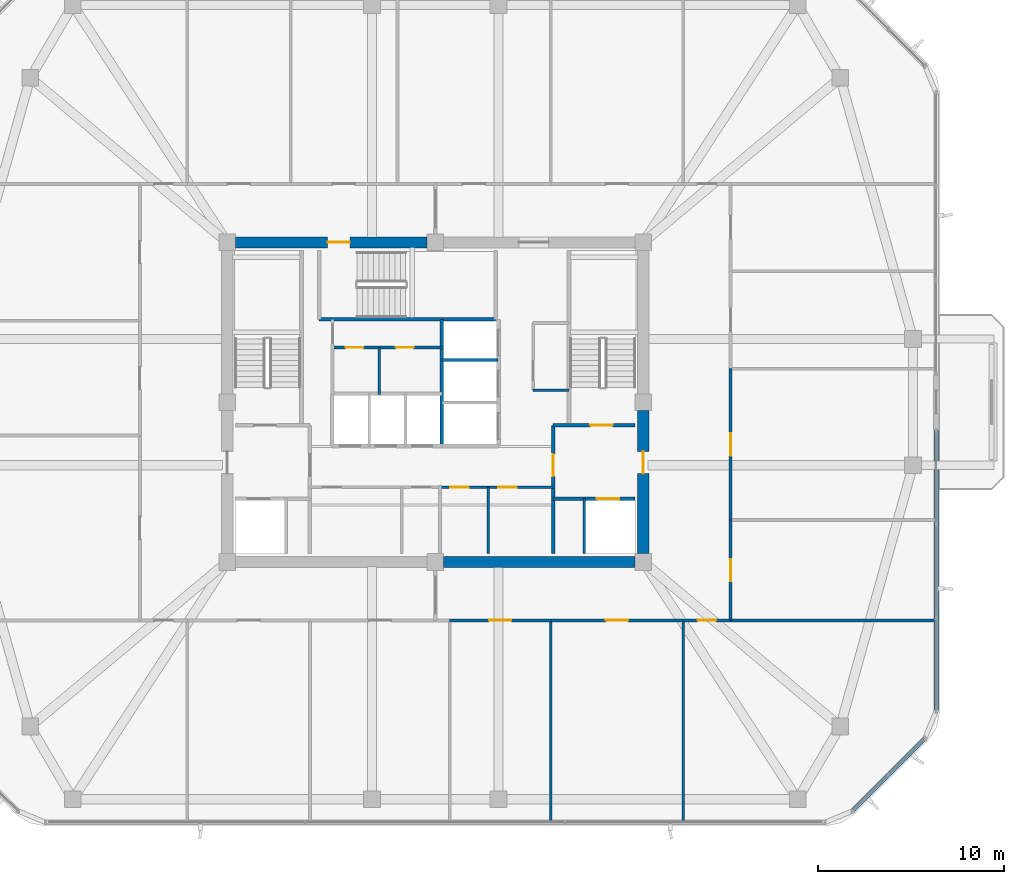
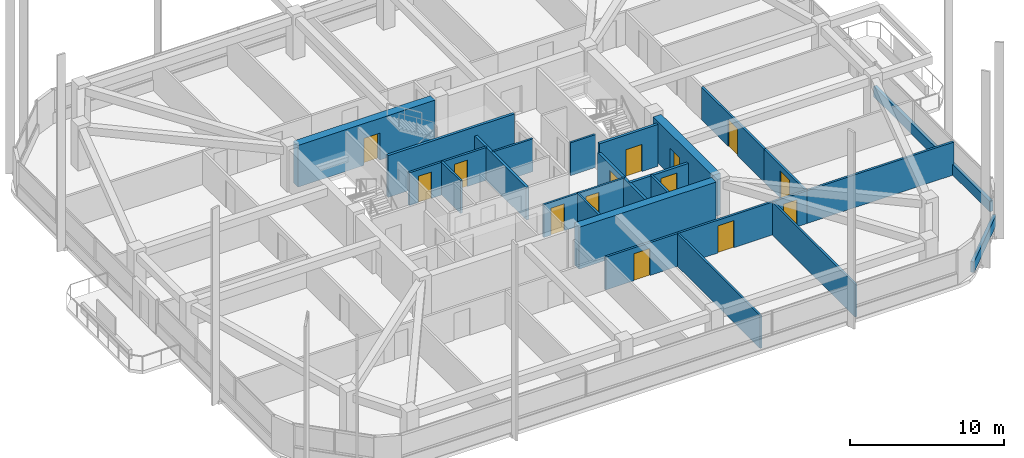
# One storey, part 11 of 17: 25 walls, 14 doors, 14 openings.
"""IFC4 building model written with IfcOpenShell, lengths in metres."""

from ifc_helpers import new_model, si_unit, derived_unit, direction, frame, frame_2d, origin, place, context, subcontext, project, spatial, rectangle, extrude, material, layer, layer_set, type_object, element, fill, save


model = new_model("IFC4")

# Units and contexts
model_context = context("Model", 3, precision=1e-05, world=origin(), true_north=direction((0.0, 1.0)))
body_context = subcontext(model_context, "Body", "Model", "MODEL_VIEW")
ifc_project = project(units=[si_unit("LENGTHUNIT", "METRE"), si_unit("AREAUNIT", "SQUARE_METRE"), si_unit("VOLUMEUNIT", "CUBIC_METRE"), si_unit("PLANEANGLEUNIT", "RADIAN"), si_unit("MASSUNIT", "GRAM", prefix="KILO"), derived_unit("THERMALTRANSMITTANCEUNIT", [(si_unit("POWERUNIT", "WATT"), 1), (si_unit("LENGTHUNIT", "METRE"), -2), (si_unit("THERMODYNAMICTEMPERATUREUNIT", "KELVIN"), -1)])], contexts=[model_context])

# Site, building, storey
site_placement = place(None, origin())
site = spatial("IfcSite", under=ifc_project, at=site_placement, CompositionType="ELEMENT")
building_placement = place(site_placement, origin())
building = spatial("IfcBuilding", under=site, at=building_placement, Name="Koralith Skygarden Medical Center", CompositionType="ELEMENT")
storey_placement = place(building_placement, frame((0.0, 0.0, 221.580078125)))
storey = spatial("IfcBuildingStorey", under=building, at=storey_placement, Name="L57", CompositionType="ELEMENT", Elevation=221.580078125)

# Wall, openings, doors
ifc_material_1 = material(Name="Gypsum Board Partition")
ifc_layer_1 = layer(ifc_material_1, 0.14990234375)
ifc_layer_set_1 = layer_set([ifc_layer_1], Name="Gypsum Board Partition")
wall_type_1 = type_object("IfcWallType", Name="Clinical Acoustic Partition 150", PredefinedType="PARTITIONING", material=ifc_layer_set_1)
wall_1_placement = place(storey_placement, frame((37.25, 21.320068359375, 0.0), z_axis=(0.0, 0.0, 1.0), x_axis=(1.0, 0.0, 0.0)))
wall_1 = element("IfcWall", 1, at=wall_1_placement, inside=storey, type_object=wall_type_1, Name="L57 Clinical Acoustic Partition 150 W-CORE-L57-FREED-MR-N", PredefinedType="PARTITIONING", context=body_context, shape_type="SweptSolid", body=[
    extrude(rectangle(XDim=6.10009765625, YDim=0.14990234375, at=frame_2d((3.050048828125, 0.0))), origin(), (0.0, 0.0, 1.0), 2.60986328125),
])
opening_1_placement = place(wall_1_placement, frame((0.550048828125, 0.0, 0.0)))
opening_1 = element("IfcOpeningElement", 2, at=opening_1_placement, cuts=wall_1, Name="Opening D-SUP", PredefinedType="OPENING", context=body_context, shape_type="SweptSolid", body=[
    extrude(rectangle(XDim=1.0, YDim=2.14990234375, at=frame_2d((0.5, 1.074951171875))), frame((0.0, 0.0849609375, 0.0), z_axis=(0.0, -1.0, 0.0), x_axis=(1.0, 0.0, 0.0)), (0.0, 0.0, 1.0), 0.169921875),
])
opening_2_placement = place(wall_1_placement, frame((3.14990234375, 0.0, 0.0)))
opening_2 = element("IfcOpeningElement", 3, at=opening_2_placement, cuts=wall_1, Name="Opening D-SUP", PredefinedType="OPENING", context=body_context, shape_type="SweptSolid", body=[
    extrude(rectangle(XDim=1.0, YDim=2.14990234375, at=frame_2d((0.5, 1.074951171875))), frame((0.0, 0.0849609375, 0.0), z_axis=(0.0, -1.0, 0.0), x_axis=(1.0, 0.0, 0.0)), (0.0, 0.0, 1.0), 0.169921875),
])
ifc_material_2 = material(Name="Aluminium 6063-T6", Category="aluminium")
door_type_1 = type_object("IfcDoorType", Name="Clinical Support Door D-SUP 1000", OperationType="NOTDEFINED", PredefinedType="DOOR", material=ifc_material_2)
door_1_placement = place(opening_1_placement, frame((1.0, 0.0, 0.0), z_axis=(0.0, 0.0, 1.0), x_axis=(-1.0, 0.0, 0.0)))
door_1 = element("IfcDoor", 4, at=door_1_placement, inside=storey, type_object=door_type_1, Name="L57 Satellite Pharmacy Door", OperationType="SINGLE_SWING_LEFT", OverallHeight=2.14990234375, OverallWidth=1.0, PredefinedType="DOOR", context=body_context, shape_type="SweptSolid", body=[
    extrude(rectangle(XDim=1.0, YDim=2.14990234375, at=frame_2d((0.5, 1.074951171875))), frame((0.0, 0.02490234375, 0.0), z_axis=(0.0, -1.0, 0.0), x_axis=(1.0, 0.0, 0.0)), (0.0, 0.0, 1.0), 0.050048828125),
])
fill(opening_1, door_1)
door_2_placement = place(opening_2_placement, frame((1.0, 0.0, 0.0), z_axis=(0.0, 0.0, 1.0), x_axis=(-1.0, 0.0, 0.0)))
door_2 = element("IfcDoor", 5, at=door_2_placement, inside=storey, type_object=door_type_1, Name="L57 Biomedical Equipment Door", OperationType="SINGLE_SWING_RIGHT", OverallHeight=2.14990234375, OverallWidth=1.0, PredefinedType="DOOR", context=body_context, shape_type="SweptSolid", body=[
    extrude(rectangle(XDim=1.0, YDim=2.14990234375, at=frame_2d((0.5, 1.074951171875))), frame((0.0, 0.02490234375, 0.0), z_axis=(0.0, -1.0, 0.0), x_axis=(1.0, 0.0, 0.0)), (0.0, 0.0, 1.0), 0.050048828125),
])
fill(opening_2, door_2)

# Walls
wall_2_placement = place(storey_placement, frame((39.85009765625, 17.75, 0.0), z_axis=(0.0, 0.0, 1.0), x_axis=(0.0, 1.0, 0.0)))
element("IfcWall", 6, at=wall_2_placement, inside=storey, type_object=wall_type_1, Name="L57 Clinical Acoustic Partition 150 W-CORE-L57-FREED-MR-M", PredefinedType="PARTITIONING", context=body_context, shape_type="SweptSolid", body=[
    extrude(rectangle(XDim=3.570068359375, YDim=0.14990234375, at=frame_2d((1.78515625, 0.0))), origin(), (0.0, 0.0, 1.0), 2.60986328125),
])
wall_3_placement = place(storey_placement, frame((42.27001953125, 26.5400390625, 0.0), z_axis=(0.0, 0.0, 1.0), x_axis=(1.0, 0.0, 0.0)))
element("IfcWall", 7, at=wall_3_placement, inside=storey, type_object=wall_type_1, Name="L57 Clinical Acoustic Partition 150 W-CORE-L57-ESUB-S", PredefinedType="PARTITIONING", context=body_context, shape_type="SweptSolid", body=[
    extrude(rectangle(XDim=1.929931640625, YDim=0.14990234375, at=frame_2d((0.96484375, 0.0))), origin(), (0.0, 0.0, 1.0), 2.60986328125),
])
wall_4_placement = place(storey_placement, frame((33.97998046875, 26.320068359375, 0.0), z_axis=(0.0, 0.0, 1.0), x_axis=(0.0, 1.0, 0.0)))
element("IfcWall", 8, at=wall_4_placement, inside=storey, type_object=wall_type_1, Name="L57 Clinical Acoustic Partition 150 W-CORE-L57-FLEX-V3A", PredefinedType="PARTITIONING", context=body_context, shape_type="SweptSolid", body=[
    extrude(rectangle(XDim=2.52001953125, YDim=0.14990234375, at=frame_2d((1.260009765625, 0.0))), origin(), (0.0, 0.0, 1.0), 2.60986328125),
])
for number, where, z_axis, x_axis, name in (
    (9, (43.220947265625, 14.14990234375, 0.0), (0.0, 0.0, 1.0), (0.0, -1.0, 0.0), "L57 Clinical Acoustic Partition 150 W-PART-L57-S-04"),
    (10, (50.35009765625, 14.14990234375, 0.0), (0.0, 0.0, 1.0), (0.0, -1.0, 0.0), "L57 Clinical Acoustic Partition 150 W-PART-L57-S-05"),
):
    element("IfcWall", number, at=place(storey_placement, frame(where, z_axis=z_axis, x_axis=x_axis)), inside=storey, type_object=wall_type_1, Name=name, PredefinedType="PARTITIONING", context=body_context, shape_type="SweptSolid", body=[
        extrude(rectangle(XDim=10.849853515625, YDim=0.14990234375, at=frame_2d((5.4248046875, 0.0))), origin(), (0.0, 0.0, 1.0), 2.60986328125),
    ])
ifc_layer_2 = layer(ifc_material_1, 0.1650390625)
ifc_layer_set_2 = layer_set([ifc_layer_2], Name="Gypsum Board Partition")
wall_type_2 = type_object("IfcWallType", Name="Clinical Corridor Partition 165", PredefinedType="PARTITIONING", material=ifc_layer_set_2)
wall_5_placement = place(storey_placement, frame((52.89990234375, 14.14990234375, 0.0), z_axis=(0.0, 0.0, 1.0), x_axis=(1.0, 0.0, 0.0)))
element("IfcWall", 11, at=wall_5_placement, inside=storey, type_object=wall_type_2, Name="L57 Clinical Corridor Partition 165 W-WB-L57-SE", PredefinedType="PARTITIONING", context=body_context, shape_type="SweptSolid", body=[
    extrude(rectangle(XDim=11.0419921875, YDim=0.1650390625, at=frame_2d((5.52099609375, 0.0))), origin(), (0.0, 0.0, 1.0), 2.60986328125),
])

# Wall, opening, door
wall_6_placement = place(storey_placement, frame((37.777099609375, 14.14990234375, 0.0), z_axis=(0.0, 0.0, 1.0), x_axis=(1.0, 0.0, 0.0)))
wall_6 = element("IfcWall", 12, at=wall_6_placement, inside=storey, type_object=wall_type_2, Name="L57 Clinical Corridor Partition 165 W-CORR-L57-S-04", PredefinedType="PARTITIONING", context=body_context, shape_type="SweptSolid", body=[
    extrude(rectangle(XDim=5.44384765625, YDim=0.1650390625, at=frame_2d((2.721923828125, 0.0))), origin(), (0.0, 0.0, 1.0), 2.60986328125),
])
opening_3_placement = place(wall_6_placement, frame((2.1220703125, 0.0, 0.0)))
opening_3 = element("IfcOpeningElement", 13, at=opening_3_placement, cuts=wall_6, Name="Opening D-CLN", PredefinedType="OPENING", context=body_context, shape_type="SweptSolid", body=[
    extrude(rectangle(XDim=1.199951171875, YDim=2.14990234375, at=frame_2d((0.60009765625, 1.074951171875))), frame((0.0, 0.092529296875, 0.0), z_axis=(0.0, -1.0, 0.0), x_axis=(1.0, 0.0, 0.0)), (0.0, 0.0, 1.0), 0.18505859375),
])
door_type_2 = type_object("IfcDoorType", Name="Clinical Corridor Door D-CLN 1200", OperationType="NOTDEFINED", PredefinedType="DOOR", material=ifc_material_2)
door_3_placement = place(opening_3_placement, frame((1.199951171875, 0.0, 0.0), z_axis=(0.0, 0.0, 1.0), x_axis=(-1.0, 0.0, 0.0)))
door_3 = element("IfcDoor", 14, at=door_3_placement, inside=storey, type_object=door_type_2, Name="L57 Care Coordinator Office 10 Door", OperationType="SINGLE_SWING_LEFT", OverallHeight=2.14990234375, OverallWidth=1.199951171875, PredefinedType="DOOR", context=body_context, shape_type="SweptSolid", body=[
    extrude(rectangle(XDim=1.199951171875, YDim=2.14990234375, at=frame_2d((0.60009765625, 1.074951171875))), frame((0.0, 0.02490234375, 0.0), z_axis=(0.0, -1.0, 0.0), x_axis=(1.0, 0.0, 0.0)), (0.0, 0.0, 1.0), 0.050048828125),
])
fill(opening_3, door_3)

wall_7_placement = place(storey_placement, frame((43.220947265625, 14.14990234375, 0.0), z_axis=(0.0, 0.0, 1.0), x_axis=(1.0, 0.0, 0.0)))
wall_7 = element("IfcWall", 15, at=wall_7_placement, inside=storey, type_object=wall_type_2, Name="L57 Clinical Corridor Partition 165 W-CORR-L57-S-05", PredefinedType="PARTITIONING", context=body_context, shape_type="SweptSolid", body=[
    extrude(rectangle(XDim=7.129150390625, YDim=0.1650390625, at=frame_2d((3.564453125, 0.0))), origin(), (0.0, 0.0, 1.0), 2.60986328125),
])
opening_4_placement = place(wall_7_placement, frame((2.965087890625, 0.0, 0.0)))
opening_4 = element("IfcOpeningElement", 16, at=opening_4_placement, cuts=wall_7, Name="Opening D-CLN", PredefinedType="OPENING", context=body_context, shape_type="SweptSolid", body=[
    extrude(rectangle(XDim=1.199951171875, YDim=2.14990234375, at=frame_2d((0.60009765625, 1.074951171875))), frame((0.0, 0.092529296875, 0.0), z_axis=(0.0, -1.0, 0.0), x_axis=(1.0, 0.0, 0.0)), (0.0, 0.0, 1.0), 0.18505859375),
])
door_4_placement = place(opening_4_placement, frame((1.199951171875, 0.0, 0.0), z_axis=(0.0, 0.0, 1.0), x_axis=(-1.0, 0.0, 0.0)))
door_4 = element("IfcDoor", 17, at=door_4_placement, inside=storey, type_object=door_type_2, Name="L57 Sterile Supply Equipment Store 11 Door", OperationType="SINGLE_SWING_RIGHT", OverallHeight=2.14990234375, OverallWidth=1.199951171875, PredefinedType="DOOR", context=body_context, shape_type="SweptSolid", body=[
    extrude(rectangle(XDim=1.199951171875, YDim=2.14990234375, at=frame_2d((0.60009765625, 1.074951171875))), frame((0.0, 0.02490234375, 0.0), z_axis=(0.0, -1.0, 0.0), x_axis=(1.0, 0.0, 0.0)), (0.0, 0.0, 1.0), 0.050048828125),
])
fill(opening_4, door_4)

wall_8_placement = place(storey_placement, frame((50.35009765625, 14.14990234375, 0.0), z_axis=(0.0, 0.0, 1.0), x_axis=(1.0, 0.0, 0.0)))
wall_8 = element("IfcWall", 18, at=wall_8_placement, inside=storey, type_object=wall_type_2, Name="L57 Clinical Corridor Partition 165 W-CORR-L57-S-06", PredefinedType="PARTITIONING", context=body_context, shape_type="SweptSolid", body=[
    extrude(rectangle(XDim=2.5498046875, YDim=0.1650390625, at=frame_2d((1.27490234375, 0.0))), origin(), (0.0, 0.0, 1.0), 2.60986328125),
])
opening_5_placement = place(wall_8_placement, frame((0.77490234375, 0.0, 0.0)))
opening_5 = element("IfcOpeningElement", 19, at=opening_5_placement, cuts=wall_8, Name="Opening D-SUP", PredefinedType="OPENING", context=body_context, shape_type="SweptSolid", body=[
    extrude(rectangle(XDim=1.0, YDim=2.14990234375, at=frame_2d((0.5, 1.074951171875))), frame((0.0, 0.092529296875, 0.0), z_axis=(0.0, -1.0, 0.0), x_axis=(1.0, 0.0, 0.0)), (0.0, 0.0, 1.0), 0.18505859375),
])
door_5_placement = place(opening_5_placement, frame((1.0, 0.0, 0.0), z_axis=(0.0, 0.0, 1.0), x_axis=(-1.0, 0.0, 0.0)))
door_5 = element("IfcDoor", 20, at=door_5_placement, inside=storey, type_object=door_type_1, Name="L57 Clinical Consultation Office 12 Door", OperationType="SINGLE_SWING_LEFT", OverallHeight=2.14990234375, OverallWidth=1.0, PredefinedType="DOOR", context=body_context, shape_type="SweptSolid", body=[
    extrude(rectangle(XDim=1.0, YDim=2.14990234375, at=frame_2d((0.5, 1.074951171875))), frame((0.0, 0.02490234375, 0.0), z_axis=(0.0, -1.0, 0.0), x_axis=(1.0, 0.0, 0.0)), (0.0, 0.0, 1.0), 0.050048828125),
])
fill(opening_5, door_5)

wall_9_placement = place(storey_placement, frame((52.89990234375, 14.14990234375, 0.0), z_axis=(0.0, 0.0, 1.0), x_axis=(0.0, 1.0, 0.0)))
wall_9 = element("IfcWall", 21, at=wall_9_placement, inside=storey, type_object=wall_type_2, Name="L57 Clinical Corridor Partition 165 W-CORR-L57-E-01", PredefinedType="PARTITIONING", context=body_context, shape_type="SweptSolid", body=[
    extrude(rectangle(XDim=5.405029296875, YDim=0.1650390625, at=frame_2d((2.70263671875, 0.0))), origin(), (0.0, 0.0, 1.0), 2.60986328125),
])
opening_6_placement = place(wall_9_placement, frame((2.10205078125, 0.0, 0.0)))
opening_6 = element("IfcOpeningElement", 22, at=opening_6_placement, cuts=wall_9, Name="Opening D-CLN", PredefinedType="OPENING", context=body_context, shape_type="SweptSolid", body=[
    extrude(rectangle(XDim=1.199951171875, YDim=2.14990234375, at=frame_2d((0.60009765625, 1.074951171875))), frame((0.0, 0.092529296875, 0.0), z_axis=(0.0, -1.0, 0.0), x_axis=(1.0, 0.0, 0.0)), (0.0, 0.0, 1.0), 0.18505859375),
])
door_6_placement = place(opening_6_placement, origin())
door_6 = element("IfcDoor", 23, at=door_6_placement, inside=storey, type_object=door_type_2, Name="L57 Sterile Supply Equipment Store 16 Door", OperationType="SINGLE_SWING_LEFT", OverallHeight=2.14990234375, OverallWidth=1.199951171875, PredefinedType="DOOR", context=body_context, shape_type="SweptSolid", body=[
    extrude(rectangle(XDim=1.199951171875, YDim=2.14990234375, at=frame_2d((0.60009765625, 1.074951171875))), frame((0.0, 0.02490234375, 0.0), z_axis=(0.0, -1.0, 0.0), x_axis=(1.0, 0.0, 0.0)), (0.0, 0.0, 1.0), 0.050048828125),
])
fill(opening_6, door_6)

wall_10_placement = place(storey_placement, frame((52.89990234375, 19.554931640625, 0.0), z_axis=(0.0, 0.0, 1.0), x_axis=(0.0, 1.0, 0.0)))
wall_10 = element("IfcWall", 24, at=wall_10_placement, inside=storey, type_object=wall_type_2, Name="L57 Clinical Corridor Partition 165 W-CORR-L57-E-02", PredefinedType="PARTITIONING", context=body_context, shape_type="SweptSolid", body=[
    extrude(rectangle(XDim=8.14501953125, YDim=0.1650390625, at=frame_2d((4.072509765625, 0.0))), origin(), (0.0, 0.0, 1.0), 2.60986328125),
])
opening_7_placement = place(wall_10_placement, frame((3.471923828125, 0.0, 0.0)))
opening_7 = element("IfcOpeningElement", 25, at=opening_7_placement, cuts=wall_10, Name="Opening D-CLN", PredefinedType="OPENING", context=body_context, shape_type="SweptSolid", body=[
    extrude(rectangle(XDim=1.199951171875, YDim=2.14990234375, at=frame_2d((0.60009765625, 1.074951171875))), frame((0.0, 0.092529296875, 0.0), z_axis=(0.0, -1.0, 0.0), x_axis=(1.0, 0.0, 0.0)), (0.0, 0.0, 1.0), 0.18505859375),
])
door_7_placement = place(opening_7_placement, origin())
door_7 = element("IfcDoor", 26, at=door_7_placement, inside=storey, type_object=door_type_2, Name="L57 Patient and Family Sky-Garden Day Lounge 17 Door", OperationType="SINGLE_SWING_RIGHT", OverallHeight=2.14990234375, OverallWidth=1.199951171875, PredefinedType="DOOR", context=body_context, shape_type="SweptSolid", body=[
    extrude(rectangle(XDim=1.199951171875, YDim=2.14990234375, at=frame_2d((0.60009765625, 1.074951171875))), frame((0.0, 0.02490234375, 0.0), z_axis=(0.0, -1.0, 0.0), x_axis=(1.0, 0.0, 0.0)), (0.0, 0.0, 1.0), 0.050048828125),
])
fill(opening_7, door_7)

ifc_layer_3 = layer(ifc_material_1, 0.199951171875)
ifc_layer_set_3 = layer_set([ifc_layer_3], Name="Gypsum Board Partition")
wall_type_3 = type_object("IfcWallType", Name="Fire Shaft Wall 200", PredefinedType="SOLIDWALL", material=ifc_layer_set_3)
wall_11_placement = place(storey_placement, frame((43.35009765625, 20.699951171875, 0.0), z_axis=(0.0, 0.0, 1.0), x_axis=(1.0, 0.0, 0.0)))
wall_11 = element("IfcWall", 27, at=wall_11_placement, inside=storey, type_object=wall_type_3, Name="L57 Fire Shaft Wall 200 W-CORE-L57-FF2-N", PredefinedType="SOLIDWALL", context=body_context, shape_type="SweptSolid", body=[
    extrude(rectangle(XDim=4.39990234375, YDim=0.199951171875, at=frame_2d((2.199951171875, 0.0))), origin(), (0.0, 0.0, 1.0), 2.60986328125),
])
opening_8_placement = place(wall_11_placement, frame((2.35009765625, 0.0, 0.0)))
opening_8 = element("IfcOpeningElement", 28, at=opening_8_placement, cuts=wall_11, Name="Opening LD-FF", PredefinedType="OPENING", context=body_context, shape_type="SweptSolid", body=[
    extrude(rectangle(XDim=1.199951171875, YDim=2.14990234375, at=frame_2d((0.60009765625, 1.074951171875))), frame((0.0, 0.10986328125, 0.0), z_axis=(0.0, -1.0, 0.0), x_axis=(1.0, 0.0, 0.0)), (0.0, 0.0, 1.0), 0.219970703125),
])
ifc_material_3 = material(Name="Steel ASTM A500 Grade C", Category="steel")
door_type_3 = type_object("IfcDoorType", Name="Fire Lift Sliding Landing Door LD-FF 1200", OperationType="NOTDEFINED", PredefinedType="DOOR", material=ifc_material_3)
door_8_placement = place(opening_8_placement, origin())
door_8 = element("IfcDoor", 29, at=door_8_placement, inside=storey, type_object=door_type_3, Name="L57 Fire Service Elevator FF2 Landing Door", OperationType="SLIDING_TO_RIGHT", OverallHeight=2.14990234375, OverallWidth=1.199951171875, PredefinedType="DOOR", context=body_context, shape_type="SweptSolid", body=[
    extrude(rectangle(XDim=1.199951171875, YDim=2.14990234375, at=frame_2d((0.60009765625, 1.074951171875))), frame((0.0, 0.02490234375, 0.0), z_axis=(0.0, -1.0, 0.0), x_axis=(1.0, 0.0, 0.0)), (0.0, 0.0, 1.0), 0.050048828125),
])
fill(opening_8, door_8)

wall_12_placement = place(storey_placement, frame((43.35009765625, 17.75, 0.0), z_axis=(0.0, 0.0, 1.0), x_axis=(0.0, 1.0, 0.0)))
wall_12 = element("IfcWall", 30, at=wall_12_placement, inside=storey, type_object=wall_type_3, Name="L57 Fire Shaft Wall 200 W-CORE-L57-FSAEE-W", PredefinedType="SOLIDWALL", context=body_context, shape_type="SweptSolid", body=[
    extrude(rectangle(XDim=6.89990234375, YDim=0.199951171875, at=frame_2d((3.449951171875, 0.0))), origin(), (0.0, 0.0, 1.0), 2.60986328125),
])
opening_9_placement = place(wall_12_placement, frame((4.14990234375, 0.0, 0.0)))
opening_9 = element("IfcOpeningElement", 31, at=opening_9_placement, cuts=wall_12, Name="Opening D-ST60", PredefinedType="OPENING", context=body_context, shape_type="SweptSolid", body=[
    extrude(rectangle(XDim=1.199951171875, YDim=2.14990234375, at=frame_2d((0.60009765625, 1.074951171875))), frame((0.0, 0.10986328125, 0.0), z_axis=(0.0, -1.0, 0.0), x_axis=(1.0, 0.0, 0.0)), (0.0, 0.0, 1.0), 0.219970703125),
])
door_type_4 = type_object("IfcDoorType", Name="Smokeproof Stair Fire Door FD60S 1200", OperationType="NOTDEFINED", PredefinedType="DOOR", material=ifc_material_3)
door_9_placement = place(opening_9_placement, frame((1.199951171875, 0.0, 0.0), z_axis=(0.0, 0.0, 1.0), x_axis=(-1.0, 0.0, 0.0)))
door_9 = element("IfcDoor", 32, at=door_9_placement, inside=storey, type_object=door_type_4, Name="L57 East Firefighting Lobby Inner Fire Door", OperationType="SINGLE_SWING_RIGHT", OverallHeight=2.14990234375, OverallWidth=1.199951171875, PredefinedType="DOOR", context=body_context, shape_type="SweptSolid", body=[
    extrude(rectangle(XDim=1.199951171875, YDim=2.14990234375, at=frame_2d((0.60009765625, 1.074951171875))), frame((0.0, 0.02490234375, 0.0), z_axis=(0.0, -1.0, 0.0), x_axis=(1.0, 0.0, 0.0)), (0.0, 0.0, 1.0), 0.050048828125),
])
fill(opening_9, door_9)

# Walls
wall_13_placement = place(storey_placement, frame((37.35009765625, 23.5400390625, 0.0), z_axis=(0.0, 0.0, 1.0), x_axis=(0.0, 1.0, 0.0)))
element("IfcWall", 33, at=wall_13_placement, inside=storey, type_object=wall_type_3, Name="L57 Fire Shaft Wall 200 W-CORE-L57-SV-W", PredefinedType="SOLIDWALL", context=body_context, shape_type="SweptSolid", body=[
    extrude(rectangle(XDim=6.820068359375, YDim=0.199951171875, at=frame_2d((3.41015625, 0.0))), origin(), (0.0, 0.0, 1.0), 2.60986328125),
])
ifc_material_4 = material(Name="Warm Oolitic Limestone Cladding", Category="masonry")
ifc_layer_4 = layer(ifc_material_4, 0.239990234375)
ifc_layer_set_4 = layer_set([ifc_layer_4], Name="Warm Oolitic Limestone Cladding")
wall_type_4 = type_object("IfcWallType", Name="Limestone Spandrel Sill Backup Wall 240", PredefinedType="SOLIDWALL", material=ifc_layer_set_4)
wall_14_placement = place(storey_placement, frame((59.43798828125, 3.881103515625, 0.0), z_axis=(0.0, 0.0, 1.0), x_axis=(0.707128783731, 0.707084777957, 0.0)))
element("IfcWall", 34, at=wall_14_placement, inside=storey, type_object=wall_type_4, Name="L57 Sill Spandrel SE", PredefinedType="SOLIDWALL", context=body_context, shape_type="SweptSolid", body=[
    extrude(rectangle(XDim=5.5478515625, YDim=0.239990234375, at=frame_2d((2.77392578125, 0.0))), origin(), (0.0, 0.0, 1.0), 0.849853515625),
])
wall_15_placement = place(storey_placement, frame((63.9619140625, 9.2548828125, 0.0), z_axis=(0.0, 0.0, 1.0), x_axis=(0.0, 1.0, 0.0)))
element("IfcWall", 35, at=wall_15_placement, inside=storey, type_object=wall_type_4, Name="L57 Sill Spandrel E-L", PredefinedType="SOLIDWALL", context=body_context, shape_type="SweptSolid", body=[
    extrude(rectangle(XDim=15.105224609375, YDim=0.239990234375, at=frame_2d((7.552734375, 0.0))), origin(), (0.0, 0.0, 1.0), 0.849853515625),
])

# Wall, openings, doors
ifc_layer_5 = layer(ifc_material_1, 0.1650390625)
ifc_layer_set_5 = layer_set([ifc_layer_5], Name="Gypsum Board Partition")
wall_type_5 = type_object("IfcWallType", Name="Plumbing Wet Wall 165", PredefinedType="PLUMBINGWALL", material=ifc_layer_set_5)
wall_16_placement = place(storey_placement, frame((31.47998046875, 28.840087890625, 0.0), z_axis=(0.0, 0.0, 1.0), x_axis=(1.0, 0.0, 0.0)))
wall_16 = element("IfcWall", 36, at=wall_16_placement, inside=storey, type_object=wall_type_5, Name="L57 Plumbing Wet Wall 165 W-CORE-L57-FLEX-H3", PredefinedType="PLUMBINGWALL", context=body_context, shape_type="SweptSolid", body=[
    extrude(rectangle(XDim=5.8701171875, YDim=0.1650390625, at=frame_2d((2.93505859375, 0.0))), origin(), (0.0, 0.0, 1.0), 2.60986328125),
])
opening_10_placement = place(wall_16_placement, frame((0.699951171875, 0.0, 0.0)))
opening_10 = element("IfcOpeningElement", 37, at=opening_10_placement, cuts=wall_16, Name="Opening D-WC", PredefinedType="OPENING", context=body_context, shape_type="SweptSolid", body=[
    extrude(rectangle(XDim=0.949951171875, YDim=2.10009765625, at=frame_2d((0.47509765625, 1.050048828125))), frame((0.0, 0.092529296875, 0.0), z_axis=(0.0, -1.0, 0.0), x_axis=(1.0, 0.0, 0.0)), (0.0, 0.0, 1.0), 0.18505859375),
])
opening_11_placement = place(wall_16_placement, frame((3.39990234375, 0.0, 0.0)))
opening_11 = element("IfcOpeningElement", 38, at=opening_11_placement, cuts=wall_16, Name="Opening D-WC", PredefinedType="OPENING", context=body_context, shape_type="SweptSolid", body=[
    extrude(rectangle(XDim=0.949951171875, YDim=2.10009765625, at=frame_2d((0.47509765625, 1.050048828125))), frame((0.0, 0.092529296875, 0.0), z_axis=(0.0, -1.0, 0.0), x_axis=(1.0, 0.0, 0.0)), (0.0, 0.0, 1.0), 0.18505859375),
])
door_type_5 = type_object("IfcDoorType", Name="Accessible Toilet Door D-WC 950", OperationType="NOTDEFINED", PredefinedType="DOOR", material=ifc_material_2)
door_10_placement = place(opening_10_placement, frame((0.949951171875, 0.0, 0.0), z_axis=(0.0, 0.0, 1.0), x_axis=(-1.0, 0.0, 0.0)))
door_10 = element("IfcDoor", 39, at=door_10_placement, inside=storey, type_object=door_type_5, Name="L57 Core Accessible WC Door", OperationType="SINGLE_SWING_LEFT", OverallHeight=2.10009765625, OverallWidth=0.949951171875, PredefinedType="DOOR", context=body_context, shape_type="SweptSolid", body=[
    extrude(rectangle(XDim=0.949951171875, YDim=2.10009765625, at=frame_2d((0.47509765625, 1.050048828125))), frame((0.0, 0.02490234375, 0.0), z_axis=(0.0, -1.0, 0.0), x_axis=(1.0, 0.0, 0.0)), (0.0, 0.0, 1.0), 0.050048828125),
])
fill(opening_10, door_10)
door_11_placement = place(opening_11_placement, frame((0.949951171875, 0.0, 0.0), z_axis=(0.0, 0.0, 1.0), x_axis=(-1.0, 0.0, 0.0)))
door_11 = element("IfcDoor", 40, at=door_11_placement, inside=storey, type_object=door_type_5, Name="L57 Housekeeping Store Door", OperationType="SINGLE_SWING_RIGHT", OverallHeight=2.10009765625, OverallWidth=0.949951171875, PredefinedType="DOOR", context=body_context, shape_type="SweptSolid", body=[
    extrude(rectangle(XDim=0.949951171875, YDim=2.10009765625, at=frame_2d((0.47509765625, 1.050048828125))), frame((0.0, 0.02490234375, 0.0), z_axis=(0.0, -1.0, 0.0), x_axis=(1.0, 0.0, 0.0)), (0.0, 0.0, 1.0), 0.050048828125),
])
fill(opening_11, door_11)

# Walls
ifc_layer_6 = layer(ifc_material_1, 0.14990234375)
ifc_layer_set_6 = layer_set([ifc_layer_6], Name="Gypsum Board Partition")
wall_type_6 = type_object("IfcWallType", Name="Shaft Partition Wall 150", PredefinedType="PARTITIONING", material=ifc_layer_set_6)
wall_17_placement = place(storey_placement, frame((45.02001953125, 17.75, 0.0), z_axis=(0.0, 0.0, 1.0), x_axis=(0.0, 1.0, 0.0)))
element("IfcWall", 41, at=wall_17_placement, inside=storey, type_object=wall_type_6, Name="L57 Shaft Partition Wall 150 W-CORE-L57-RSRE-DIV", PredefinedType="PARTITIONING", context=body_context, shape_type="SweptSolid", body=[
    extrude(rectangle(XDim=2.949951171875, YDim=0.14990234375, at=frame_2d((1.47509765625, 0.0))), origin(), (0.0, 0.0, 1.0), 2.60986328125),
])
wall_18_placement = place(storey_placement, frame((37.3701171875, 28.169921875, 0.0), z_axis=(0.0, 0.0, 1.0), x_axis=(1.0, 0.0, 0.0)))
element("IfcWall", 42, at=wall_18_placement, inside=storey, type_object=wall_type_6, Name="L57 Shaft Partition Wall 150 W-CORE-L57-SV-D2", PredefinedType="PARTITIONING", context=body_context, shape_type="SweptSolid", body=[
    extrude(rectangle(XDim=3.009765625, YDim=0.14990234375, at=frame_2d((1.5048828125, 0.0))), origin(), (0.0, 0.0, 1.0), 2.60986328125),
])

# Wall, opening, door
ifc_material_5 = material(Name="Concrete C45/55", Category="concrete")
ifc_layer_7 = layer(ifc_material_5, 0.199951171875)
ifc_layer_set_7 = layer_set([ifc_layer_7], Name="Concrete C45/55")
wall_type_7 = type_object("IfcWallType", Name="Structural Stair Shaft Wall 200", PredefinedType="SHEAR", material=ifc_layer_set_7)
wall_19_placement = place(storey_placement, frame((43.35009765625, 24.64990234375, 0.0), z_axis=(0.0, 0.0, 1.0), x_axis=(1.0, 0.0, 0.0)))
wall_19 = element("IfcWall", 43, at=wall_19_placement, inside=storey, type_object=wall_type_7, Name="L57 Structural Stair Shaft Wall 200 W-CORE-L57-ST2-S", PredefinedType="SHEAR", context=body_context, shape_type="SweptSolid", body=[
    extrude(rectangle(XDim=4.39990234375, YDim=0.199951171875, at=frame_2d((2.199951171875, 0.0))), origin(), (0.0, 0.0, 1.0), 3.31982421875),
])
opening_12_placement = place(wall_19_placement, frame((2.0, 0.0, 0.0)))
opening_12 = element("IfcOpeningElement", 44, at=opening_12_placement, cuts=wall_19, Name="Opening D-ST60", PredefinedType="OPENING", context=body_context, shape_type="SweptSolid", body=[
    extrude(rectangle(XDim=1.199951171875, YDim=2.14990234375, at=frame_2d((0.60009765625, 1.074951171875))), frame((0.0, 0.10986328125, 0.0), z_axis=(0.0, -1.0, 0.0), x_axis=(1.0, 0.0, 0.0)), (0.0, 0.0, 1.0), 0.219970703125),
])
door_12_placement = place(opening_12_placement, origin())
door_12 = element("IfcDoor", 45, at=door_12_placement, inside=storey, type_object=door_type_4, Name="L57 Exit Stair ST2 Fire Door", OperationType="SINGLE_SWING_RIGHT", OverallHeight=2.14990234375, OverallWidth=1.199951171875, PredefinedType="DOOR", context=body_context, shape_type="SweptSolid", body=[
    extrude(rectangle(XDim=1.199951171875, YDim=2.14990234375, at=frame_2d((0.60009765625, 1.074951171875))), frame((0.0, 0.02490234375, 0.0), z_axis=(0.0, -1.0, 0.0), x_axis=(1.0, 0.0, 0.0)), (0.0, 0.0, 1.0), 0.050048828125),
])
fill(opening_12, door_12)

# Walls
wall_20_placement = place(storey_placement, frame((30.75, 30.360107421875, 0.0), z_axis=(0.0, 0.0, 1.0), x_axis=(1.0, 0.0, 0.0)))
element("IfcWall", 46, at=wall_20_placement, inside=storey, type_object=wall_type_7, Name="L57 Structural Stair Shaft Wall 200 W-CORE-L57-ST3-S", PredefinedType="SHEAR", context=body_context, shape_type="SweptSolid", body=[
    extrude(rectangle(XDim=9.5, YDim=0.199951171875, at=frame_2d((4.75, 0.0))), origin(), (0.0, 0.0, 1.0), 3.31982421875),
])
ifc_material_6 = material(Name="Concrete C55/67", Category="concrete")
ifc_layer_8 = layer(ifc_material_6, 0.60009765625)
ifc_layer_set_8 = layer_set([ifc_layer_8], Name="Concrete C55/67")
wall_type_8 = type_object("IfcWallType", Name="Upper Core Shear Wall 600", PredefinedType="SHEAR", material=ifc_layer_set_8)
wall_21_placement = place(storey_placement, frame((37.445068359375, 17.300048828125, 0.0), z_axis=(0.0, 0.0, 1.0), x_axis=(1.0, 0.0, 0.0)))
element("IfcWall", 47, at=wall_21_placement, inside=storey, type_object=wall_type_8, Name="L57 Core Shear Wall Segment 2", PredefinedType="SHEAR", context=body_context, shape_type="SweptSolid", body=[
    extrude(rectangle(XDim=10.309814453125, YDim=0.60009765625, at=frame_2d((5.15478515625, 0.0))), origin(), (0.0, 0.0, 1.0), 3.31982421875),
])

# Wall, opening, door
wall_22_placement = place(storey_placement, frame((48.199951171875, 17.7451171875, 0.0), z_axis=(0.0, 0.0, 1.0), x_axis=(0.0, 1.0, 0.0)))
wall_22 = element("IfcWall", 48, at=wall_22_placement, inside=storey, type_object=wall_type_8, Name="L57 Core Shear Wall Segment 3", PredefinedType="SHEAR", context=body_context, shape_type="SweptSolid", body=[
    extrude(rectangle(XDim=7.7099609375, YDim=0.60009765625, at=frame_2d((3.85498046875, 0.0))), origin(), (0.0, 0.0, 1.0), 3.31982421875),
])
opening_13_placement = place(wall_22_placement, frame((4.304931640625, 0.0, 0.0)))
opening_13 = element("IfcOpeningElement", 49, at=opening_13_placement, cuts=wall_22, Name="Opening D-ST60", PredefinedType="OPENING", context=body_context, shape_type="SweptSolid", body=[
    extrude(rectangle(XDim=1.199951171875, YDim=2.14990234375, at=frame_2d((0.60009765625, 1.074951171875))), frame((0.0, 0.31005859375, 0.0), z_axis=(0.0, -1.0, 0.0), x_axis=(1.0, 0.0, 0.0)), (0.0, 0.0, 1.0), 0.6201171875),
])
door_13_placement = place(opening_13_placement, frame((1.199951171875, 0.0, 0.0), z_axis=(0.0, 0.0, 1.0), x_axis=(-1.0, 0.0, 0.0)))
door_13 = element("IfcDoor", 50, at=door_13_placement, inside=storey, type_object=door_type_4, Name="L57 East Corridor to Firefighting Lobby Door", OperationType="SINGLE_SWING_RIGHT", OverallHeight=2.14990234375, OverallWidth=1.199951171875, PredefinedType="DOOR", context=body_context, shape_type="SweptSolid", body=[
    extrude(rectangle(XDim=1.199951171875, YDim=2.14990234375, at=frame_2d((0.60009765625, 1.074951171875))), frame((0.0, 0.02490234375, 0.0), z_axis=(0.0, -1.0, 0.0), x_axis=(1.0, 0.0, 0.0)), (0.0, 0.0, 1.0), 0.050048828125),
])
fill(opening_13, door_13)

wall_23_placement = place(storey_placement, frame((36.554931640625, 34.5, 0.0), z_axis=(0.0, 0.0, 1.0), x_axis=(-1.0, 0.0, 0.0)))
wall_23 = element("IfcWall", 51, at=wall_23_placement, inside=storey, type_object=wall_type_8, Name="L57 Core Shear Wall Segment 6", PredefinedType="SHEAR", context=body_context, shape_type="SweptSolid", body=[
    extrude(rectangle(XDim=10.309814453125, YDim=0.60009765625, at=frame_2d((5.15478515625, 0.0))), origin(), (0.0, 0.0, 1.0), 3.31982421875),
])
opening_14_placement = place(wall_23_placement, frame((4.155029296875, 0.0, 0.0)))
opening_14 = element("IfcOpeningElement", 52, at=opening_14_placement, cuts=wall_23, Name="Opening D-ST60", PredefinedType="OPENING", context=body_context, shape_type="SweptSolid", body=[
    extrude(rectangle(XDim=1.199951171875, YDim=2.14990234375, at=frame_2d((0.60009765625, 1.074951171875))), frame((0.0, 0.31005859375, 0.0), z_axis=(0.0, -1.0, 0.0), x_axis=(1.0, 0.0, 0.0)), (0.0, 0.0, 1.0), 0.6201171875),
])
door_14_placement = place(opening_14_placement, frame((1.199951171875, 0.0, 0.0), z_axis=(0.0, 0.0, 1.0), x_axis=(-1.0, 0.0, 0.0)))
door_14 = element("IfcDoor", 53, at=door_14_placement, inside=storey, type_object=door_type_4, Name="L57 Exit Stair ST3 Fire Door", OperationType="SINGLE_SWING_LEFT", OverallHeight=2.14990234375, OverallWidth=1.199951171875, PredefinedType="DOOR", context=body_context, shape_type="SweptSolid", body=[
    extrude(rectangle(XDim=1.199951171875, YDim=2.14990234375, at=frame_2d((0.60009765625, 1.074951171875))), frame((0.0, 0.02490234375, 0.0), z_axis=(0.0, -1.0, 0.0), x_axis=(1.0, 0.0, 0.0)), (0.0, 0.0, 1.0), 0.050048828125),
])
fill(opening_14, door_14)

save(model, "model.ifc")
